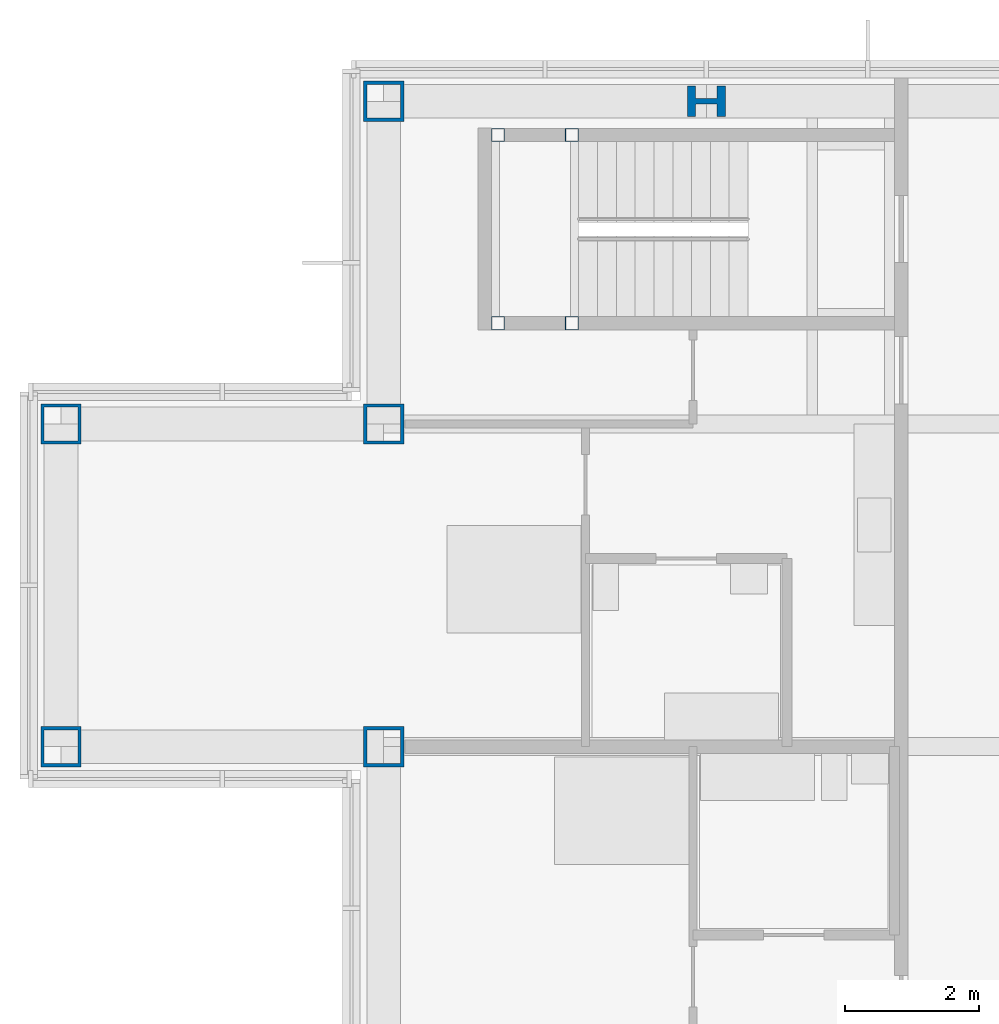
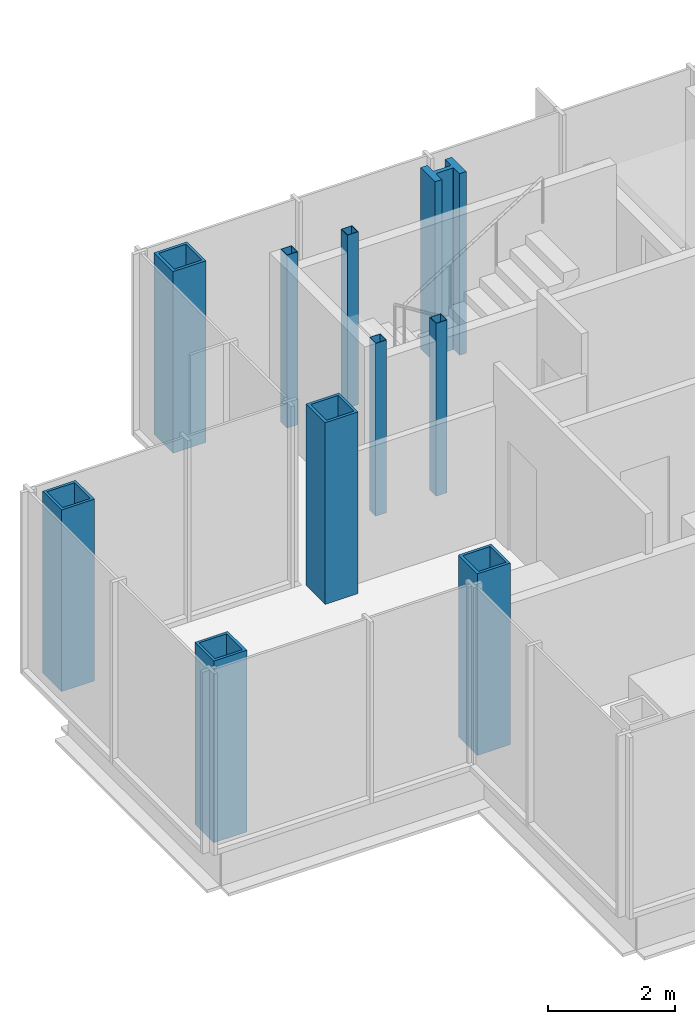
# One storey, part 3 of 15: 10 columns.
"""IFC4 building model written with IfcOpenShell, lengths in metres."""

import ifcopenshell
import ifcopenshell.guid

model = None  # the IFC model being written
_history = None  # IfcOwnerHistory: only IFC2X3 demands one
_inside = {}  # id of a spatial element -> (the spatial element, [elements in it])
_under = {}  # id of a project, library or spatial element -> (it, [spatial elements below it])
_declared = {}  # id of a project -> (the project, [libraries it declares])
_typed = {}  # id of a type object -> (the type object, [elements of that type])
_made_of = {}  # id of a material, layer set ... -> (it, [elements and type objects made of it])


def new_model(schema):
    """Start an empty IFC model of exactly this schema.

    Asked for "IFC4X3", IfcOpenShell would pick the latest addendum, in which some entities
    have other attributes; the version numbers below select the first issue.
    IFC2X3 requires an IfcOwnerHistory on every rooted entity: one is made here for all.
    """
    global model, _history
    if schema == "IFC4X3":
        model = ifcopenshell.file(schema_version=(4, 3, 0, 0))
    else:
        model = ifcopenshell.file(schema=schema)
    _inside.clear()
    _under.clear()
    _declared.clear()
    _typed.clear()
    _made_of.clear()
    _history = None
    if model.schema == "IFC2X3":
        org = make("IfcOrganization", Name="unknown")
        user = make(
            "IfcPersonAndOrganization",
            ThePerson=make("IfcPerson", FamilyName="unknown"),
            TheOrganization=org,
        )
        app = make(
            "IfcApplication",
            ApplicationDeveloper=org,
            Version="unknown",
            ApplicationFullName="unknown",
            ApplicationIdentifier="unknown",
        )
        _history = make(
            "IfcOwnerHistory",
            OwningUser=user,
            OwningApplication=app,
            ChangeAction="ADDED",
            CreationDate=0,
        )
    return model


def make(cls, **values):
    """One entity of the class cls with the attributes given. An attribute that is None is left unset."""
    return model.create_entity(
        cls, **{name: value for name, value in values.items() if value is not None}
    )


def rooted(cls, **values):
    """An entity with a GlobalId (a new one), such as an element, a storey or a relation."""
    return make(cls, GlobalId=ifcopenshell.guid.new(), OwnerHistory=_history, **values)


def si_unit(unit_type, name, prefix=None):
    """IfcSIUnit, for example si_unit("LENGTHUNIT", "METRE", prefix="MILLI")."""
    return make("IfcSIUnit", UnitType=unit_type, Prefix=prefix, Name=name)


def assignment(units):
    """IfcUnitAssignment: the units of a project."""
    return None if units is None else make("IfcUnitAssignment", Units=units)


def point(xyz):
    """IfcCartesianPoint."""
    return None if xyz is None else make("IfcCartesianPoint", Coordinates=xyz)


def direction(xyz):
    """IfcDirection."""
    return None if xyz is None else make("IfcDirection", DirectionRatios=xyz)


def frame(location, z_axis=None, x_axis=None):
    """IfcAxis2Placement3D, a coordinate frame: its origin and axes. An axis left out is left unset."""
    return make(
        "IfcAxis2Placement3D",
        Location=point(location),
        Axis=direction(z_axis),
        RefDirection=direction(x_axis),
    )


def frame_2d(location, x_axis=None):
    """IfcAxis2Placement2D, a coordinate frame in the plane: its origin and x axis."""
    return make(
        "IfcAxis2Placement2D", Location=point(location), RefDirection=direction(x_axis)
    )


def origin():
    """The frame at (0, 0, 0) with its axes left unset."""
    return frame((0.0, 0.0, 0.0))


def origin_2d():
    """The frame at (0, 0) in the plane with its x axis left unset."""
    return frame_2d((0.0, 0.0))


def place(relative_to, where):
    """IfcLocalPlacement: puts the frame where relative to a parent placement (None: the world)."""
    return make(
        "IfcLocalPlacement", PlacementRelTo=relative_to, RelativePlacement=where
    )


def context(
    kind, dimensions, precision=None, world=None, true_north=None, identifier=None
):
    """IfcGeometricRepresentationContext, for example the 3D "Model" context."""
    return make(
        "IfcGeometricRepresentationContext",
        ContextIdentifier=identifier,
        ContextType=kind,
        CoordinateSpaceDimension=dimensions,
        Precision=precision,
        WorldCoordinateSystem=world,
        TrueNorth=true_north,
    )


def subcontext(parent, identifier, kind, view, scale=None):
    """IfcGeometricRepresentationSubContext, for example "Body" below "Model"."""
    return make(
        "IfcGeometricRepresentationSubContext",
        ContextIdentifier=identifier,
        ContextType=kind,
        ParentContext=parent,
        TargetScale=scale,
        TargetView=view,
    )


def project(units=None, contexts=None):
    """IfcProject with its units and contexts."""
    return rooted(
        "IfcProject",
        Name="project",
        RepresentationContexts=contexts,
        UnitsInContext=assignment(units),
    )


def spatial(cls, under=None, at=None, **own):
    """A site, building, storey or space (cls), placed at a placement, below another one or the project."""
    s = rooted(cls, ObjectPlacement=at, **own)
    if under is not None:
        _under.setdefault(under.id(), (under, []))[1].append(s)
    return s


def profile(cls, at=None, kind="AREA", **sizes):
    """A parametric profile (cls). Its sizes go by their IFC names, for example OverallWidth=200.0."""
    return make(cls, ProfileType=kind, Position=at, **sizes)


def hollow_rectangle(**sizes):
    """IfcRectangleHollowProfileDef."""
    return profile("IfcRectangleHollowProfileDef", **sizes)


def i_section(**sizes):
    """IfcIShapeProfileDef."""
    return profile("IfcIShapeProfileDef", **sizes)


def extrude(swept, where, along, depth):
    """IfcExtrudedAreaSolid: the profile swept, set in the frame where, extruded along a direction by depth."""
    return make(
        "IfcExtrudedAreaSolid",
        SweptArea=swept,
        Position=where,
        ExtrudedDirection=direction(along),
        Depth=depth,
    )


def shape(context_of_items, identifier, shape_type, items):
    """IfcShapeRepresentation: the items that make up one representation, for example the "Body"."""
    return make(
        "IfcShapeRepresentation",
        ContextOfItems=context_of_items,
        RepresentationIdentifier=identifier,
        RepresentationType=shape_type,
        Items=items,
    )


def material(Name=None, Category=None):
    """IfcMaterial."""
    return make("IfcMaterial", Name=Name, Category=Category)


def material_profile(
    of_material, cross_section, Name=None, Category=None, Priority=None
):
    """IfcMaterialProfile: a cross section and its material."""
    return make(
        "IfcMaterialProfile",
        Name=Name,
        Material=of_material,
        Profile=cross_section,
        Priority=Priority,
        Category=Category,
    )


def profile_set(profiles, Name=None, composite=None):
    """IfcMaterialProfileSet."""
    return make(
        "IfcMaterialProfileSet",
        Name=Name,
        MaterialProfiles=profiles,
        CompositeProfile=composite,
    )


def made_of(thing, what):
    """Note that an element or type object is made of a material, layer set ...; save() writes the relation."""
    if what is not None:
        _made_of.setdefault(what.id(), (what, []))[1].append(thing)
    return thing


def type_object(cls, material=None, **own):
    """A type object (cls), such as IfcWallType, which elements share."""
    return made_of(rooted(cls, **own), material)


def element(
    cls,
    number,
    at=None,
    inside=None,
    cuts=None,
    type_object=None,
    material=None,
    context=None,
    identifier="Body",
    shape_type=None,
    held_by="IfcProductDefinitionShape",
    body=None,
    shapes=None,
    **own,
):
    """One element of the class cls, such as IfcWall. Its Tag is "e" and its number.

    at: its placement. inside: the storey or other place that contains it. cuts: it is an
    opening in that element (IfcRelVoidsElement). A single representation is given by context,
    identifier, shape_type and body (its items); several are given by shapes. held_by: the class
    of the entity that holds the representations. save() writes the other relations.
    """
    e = rooted(cls, Tag="e%d" % number, ObjectPlacement=at, **own)
    if body is not None:
        shapes = [shape(context, identifier, shape_type, body)]
    if shapes is not None:
        e.Representation = make(held_by, Representations=shapes)
    if inside is not None:
        _inside.setdefault(inside.id(), (inside, []))[1].append(e)
    if cuts is not None:
        rooted(
            "IfcRelVoidsElement", RelatingBuildingElement=cuts, RelatedOpeningElement=e
        )
    if type_object is not None:
        _typed.setdefault(type_object.id(), (type_object, []))[1].append(e)
    return made_of(e, material)


def aggregate(whole, parts):
    """IfcRelAggregates: a whole, such as a stair, and the parts it consists of."""
    return rooted("IfcRelAggregates", RelatingObject=whole, RelatedObjects=parts)


def save(model, path):
    """Write the relations noted so far, then the file.

    IfcRelAggregates (storeys below a building ...), IfcRelContainedInSpatialStructure (elements
    in a storey), IfcRelDefinesByType, IfcRelAssociatesMaterial and IfcRelDeclares: one each for
    every whole, place, type object, material and project.
    """
    for whole, parts in _under.values():
        aggregate(whole, parts)
    for where, things in _inside.values():
        rooted(
            "IfcRelContainedInSpatialStructure",
            RelatedElements=things,
            RelatingStructure=where,
        )
    for kind, things in _typed.values():
        rooted("IfcRelDefinesByType", RelatedObjects=things, RelatingType=kind)
    for what, things in _made_of.values():
        rooted("IfcRelAssociatesMaterial", RelatedObjects=things, RelatingMaterial=what)
    for by, libraries in _declared.values():
        rooted("IfcRelDeclares", RelatingContext=by, RelatedDefinitions=libraries)
    model.write(path)


model = new_model("IFC4")

# Units and contexts
model_context = context("Model", 3, precision=1e-05, world=origin(), true_north=direction((0.0, 1.0)))
body_context = subcontext(model_context, "Body", "Model", "MODEL_VIEW")
ifc_project = project(units=[si_unit("LENGTHUNIT", "METRE"), si_unit("AREAUNIT", "SQUARE_METRE"), si_unit("VOLUMEUNIT", "CUBIC_METRE"), si_unit("PLANEANGLEUNIT", "RADIAN"), si_unit("MASSUNIT", "GRAM", prefix="KILO")], contexts=[model_context])

# Site, building, storey
site_placement = place(None, origin())
site = spatial("IfcSite", under=ifc_project, at=site_placement, CompositionType="ELEMENT")
building_placement = place(site_placement, origin())
building = spatial("IfcBuilding", under=site, at=building_placement, Name="Kvirike Care Tower", CompositionType="ELEMENT")
storey_placement = place(building_placement, frame((0.0, 0.0, 212.0)))
storey = spatial("IfcBuildingStorey", under=building, at=storey_placement, Name="L58", CompositionType="ELEMENT", Elevation=212.0)

# Columns
ifc_material_1 = material(Name="Steel S460", Category="steel")
ifc_material_profile_1 = material_profile(ifc_material_1, hollow_rectangle(XDim=0.60009765625, YDim=0.60009765625, WallThickness=0.050048828125, at=origin_2d()), Name="BX 600x600x50")
ifc_profile_set_1 = profile_set([ifc_material_profile_1], Name="Steel S460")
column_type_1 = type_object("IfcColumnType", Name="COLUMN BX 600x600x50", PredefinedType="COLUMN", material=ifc_profile_set_1)
for number, where, z_axis, x_axis, name in (
    (1, (0.0, 33.60009765625, 0.0), (0.0, 0.0, 1.0), (0.0, 1.0, 0.0), "Column H3 L58"),
    (2, (0.0, 38.39990234375, 0.0), (0.0, 0.0, 1.0), (0.0, 1.0, 0.0), "Column J3 L58"),
    (3, (4.800048828125, 33.60009765625, 0.0), (0.0, 0.0, 1.0), (0.0, 1.0, 0.0), "Column H4 L58"),
    (4, (4.800048828125, 38.39990234375, 0.0), (0.0, 0.0, 1.0), (0.0, 1.0, 0.0), "Column J4 L58"),
    (5, (4.800048828125, 43.199951171875, 0.0), (0.0, 0.0, 1.0), (0.0, 1.0, 0.0), "Column K4 L58"),
):
    element("IfcColumn", number, at=place(storey_placement, frame(where, z_axis=z_axis, x_axis=x_axis)), inside=storey, type_object=column_type_1, Name=name, PredefinedType="COLUMN", context=body_context, shape_type="SweptSolid", body=[
        extrude(hollow_rectangle(XDim=0.60009765625, YDim=0.60009765625, WallThickness=0.050048828125, at=origin_2d()), origin(), (0.0, 0.0, 1.0), 3.5),
    ])
ifc_material_2 = material(Name="Steel S460", Category="steel")
ifc_material_profile_2 = material_profile(ifc_material_2, i_section(OverallWidth=0.4541015625, OverallDepth=0.569091796875, WebThickness=0.077880859375, FlangeThickness=0.125, FilletRadius=0.014892578125, at=origin_2d()), Name="HD 400x1086")
ifc_profile_set_2 = profile_set([ifc_material_profile_2], Name="Steel S460")
column_type_2 = type_object("IfcColumnType", Name="COLUMN HD 400x1086", PredefinedType="COLUMN", material=ifc_profile_set_2)
column_placement = place(storey_placement, frame((9.60009765625, 43.199951171875, 0.0), z_axis=(0.0, 0.0, 1.0), x_axis=(0.0, 1.0, 0.0)))
element("IfcColumn", 6, at=column_placement, inside=storey, type_object=column_type_2, Name="Column K5 L58", PredefinedType="COLUMN", context=body_context, shape_type="SweptSolid", body=[
    extrude(i_section(OverallWidth=0.4541015625, OverallDepth=0.569091796875, WebThickness=0.077880859375, FlangeThickness=0.125, FilletRadius=0.014892578125, at=origin_2d()), origin(), (0.0, 0.0, 1.0), 3.5),
])
ifc_material_3 = material(Name="Steel S460", Category="steel")
ifc_material_profile_3 = material_profile(ifc_material_3, hollow_rectangle(XDim=0.199951171875, YDim=0.199951171875, WallThickness=0.008056640625, at=origin_2d()), Name="SHS 200x200x8")
ifc_profile_set_3 = profile_set([ifc_material_profile_3], Name="Steel S460")
column_type_3 = type_object("IfcColumnType", Name="STAIR POST SHS 200x200x8", PredefinedType="COLUMN", material=ifc_profile_set_3)
for number, where, z_axis, x_axis, name in (
    (7, (6.5, 42.699951171875, 0.0), (0.0, 0.0, 1.0), (1.0, 0.0, 0.0), "Stair 1 post 1 L58"),
    (8, (6.5, 39.89990234375, 0.0), (0.0, 0.0, 1.0), (1.0, 0.0, 0.0), "Stair 1 post 2 L58"),
    (9, (7.60009765625, 42.699951171875, 0.0), (0.0, 0.0, 1.0), (1.0, 0.0, 0.0), "Stair 1 post 3 L58"),
    (10, (7.60009765625, 39.89990234375, 0.0), (0.0, 0.0, 1.0), (1.0, 0.0, 0.0), "Stair 1 post 4 L58"),
):
    element("IfcColumn", number, at=place(storey_placement, frame(where, z_axis=z_axis, x_axis=x_axis)), inside=storey, type_object=column_type_3, Name=name, PredefinedType="COLUMN", context=body_context, shape_type="SweptSolid", body=[
        extrude(hollow_rectangle(XDim=0.199951171875, YDim=0.199951171875, WallThickness=0.008056640625, at=origin_2d()), origin(), (0.0, 0.0, 1.0), 3.330078125),
    ])

save(model, "model.ifc")
